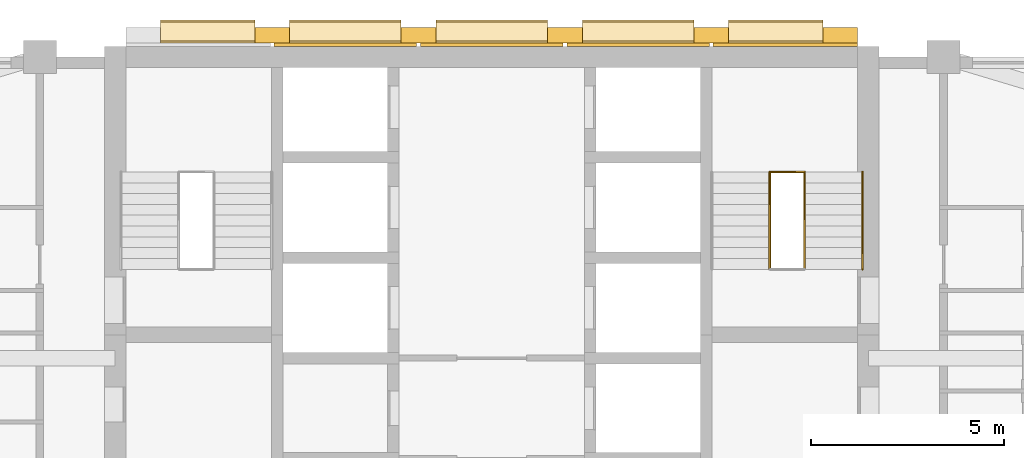
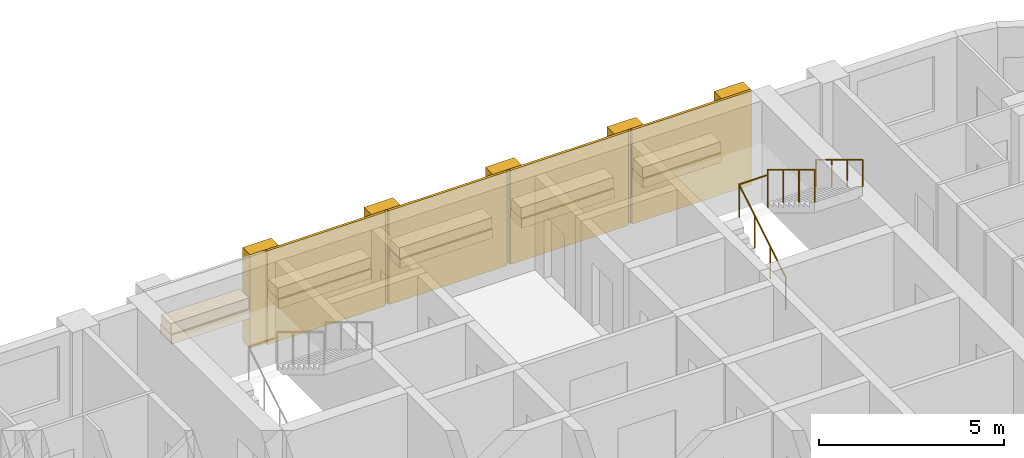
# One storey, part 14 of 14: 19 coverings, 4 railings, 1 element without a shape of its own.
"""IFC4 building model written with IfcOpenShell, lengths in metres."""

import ifcopenshell
import ifcopenshell.guid

model = None  # the IFC model being written
_history = None  # IfcOwnerHistory: only IFC2X3 demands one
_inside = {}  # id of a spatial element -> (the spatial element, [elements in it])
_under = {}  # id of a project, library or spatial element -> (it, [spatial elements below it])
_declared = {}  # id of a project -> (the project, [libraries it declares])
_typed = {}  # id of a type object -> (the type object, [elements of that type])
_made_of = {}  # id of a material, layer set ... -> (it, [elements and type objects made of it])


def new_model(schema):
    """Start an empty IFC model of exactly this schema.

    Asked for "IFC4X3", IfcOpenShell would pick the latest addendum, in which some entities
    have other attributes; the version numbers below select the first issue.
    IFC2X3 requires an IfcOwnerHistory on every rooted entity: one is made here for all.
    """
    global model, _history
    if schema == "IFC4X3":
        model = ifcopenshell.file(schema_version=(4, 3, 0, 0))
    else:
        model = ifcopenshell.file(schema=schema)
    _inside.clear()
    _under.clear()
    _declared.clear()
    _typed.clear()
    _made_of.clear()
    _history = None
    if model.schema == "IFC2X3":
        org = make("IfcOrganization", Name="unknown")
        user = make(
            "IfcPersonAndOrganization",
            ThePerson=make("IfcPerson", FamilyName="unknown"),
            TheOrganization=org,
        )
        app = make(
            "IfcApplication",
            ApplicationDeveloper=org,
            Version="unknown",
            ApplicationFullName="unknown",
            ApplicationIdentifier="unknown",
        )
        _history = make(
            "IfcOwnerHistory",
            OwningUser=user,
            OwningApplication=app,
            ChangeAction="ADDED",
            CreationDate=0,
        )
    return model


def make(cls, **values):
    """One entity of the class cls with the attributes given. An attribute that is None is left unset."""
    return model.create_entity(
        cls, **{name: value for name, value in values.items() if value is not None}
    )


def rooted(cls, **values):
    """An entity with a GlobalId (a new one), such as an element, a storey or a relation."""
    return make(cls, GlobalId=ifcopenshell.guid.new(), OwnerHistory=_history, **values)


def si_unit(unit_type, name, prefix=None):
    """IfcSIUnit, for example si_unit("LENGTHUNIT", "METRE", prefix="MILLI")."""
    return make("IfcSIUnit", UnitType=unit_type, Prefix=prefix, Name=name)


def assignment(units):
    """IfcUnitAssignment: the units of a project."""
    return None if units is None else make("IfcUnitAssignment", Units=units)


def point(xyz):
    """IfcCartesianPoint."""
    return None if xyz is None else make("IfcCartesianPoint", Coordinates=xyz)


def direction(xyz):
    """IfcDirection."""
    return None if xyz is None else make("IfcDirection", DirectionRatios=xyz)


def frame(location, z_axis=None, x_axis=None):
    """IfcAxis2Placement3D, a coordinate frame: its origin and axes. An axis left out is left unset."""
    return make(
        "IfcAxis2Placement3D",
        Location=point(location),
        Axis=direction(z_axis),
        RefDirection=direction(x_axis),
    )


def frame_2d(location, x_axis=None):
    """IfcAxis2Placement2D, a coordinate frame in the plane: its origin and x axis."""
    return make(
        "IfcAxis2Placement2D", Location=point(location), RefDirection=direction(x_axis)
    )


def origin():
    """The frame at (0, 0, 0) with its axes left unset."""
    return frame((0.0, 0.0, 0.0))


def origin_2d():
    """The frame at (0, 0) in the plane with its x axis left unset."""
    return frame_2d((0.0, 0.0))


def place(relative_to, where):
    """IfcLocalPlacement: puts the frame where relative to a parent placement (None: the world)."""
    return make(
        "IfcLocalPlacement", PlacementRelTo=relative_to, RelativePlacement=where
    )


def context(
    kind, dimensions, precision=None, world=None, true_north=None, identifier=None
):
    """IfcGeometricRepresentationContext, for example the 3D "Model" context."""
    return make(
        "IfcGeometricRepresentationContext",
        ContextIdentifier=identifier,
        ContextType=kind,
        CoordinateSpaceDimension=dimensions,
        Precision=precision,
        WorldCoordinateSystem=world,
        TrueNorth=true_north,
    )


def subcontext(parent, identifier, kind, view, scale=None):
    """IfcGeometricRepresentationSubContext, for example "Body" below "Model"."""
    return make(
        "IfcGeometricRepresentationSubContext",
        ContextIdentifier=identifier,
        ContextType=kind,
        ParentContext=parent,
        TargetScale=scale,
        TargetView=view,
    )


def project(units=None, contexts=None):
    """IfcProject with its units and contexts."""
    return rooted(
        "IfcProject",
        Name="project",
        RepresentationContexts=contexts,
        UnitsInContext=assignment(units),
    )


def spatial(cls, under=None, at=None, **own):
    """A site, building, storey or space (cls), placed at a placement, below another one or the project."""
    s = rooted(cls, ObjectPlacement=at, **own)
    if under is not None:
        _under.setdefault(under.id(), (under, []))[1].append(s)
    return s


def profile(cls, at=None, kind="AREA", **sizes):
    """A parametric profile (cls). Its sizes go by their IFC names, for example OverallWidth=200.0."""
    return make(cls, ProfileType=kind, Position=at, **sizes)


def rectangle(**sizes):
    """IfcRectangleProfileDef."""
    return profile("IfcRectangleProfileDef", **sizes)


def circle(**sizes):
    """IfcCircleProfileDef."""
    return profile("IfcCircleProfileDef", **sizes)


def extrude(swept, where, along, depth):
    """IfcExtrudedAreaSolid: the profile swept, set in the frame where, extruded along a direction by depth."""
    return make(
        "IfcExtrudedAreaSolid",
        SweptArea=swept,
        Position=where,
        ExtrudedDirection=direction(along),
        Depth=depth,
    )


def shape(context_of_items, identifier, shape_type, items):
    """IfcShapeRepresentation: the items that make up one representation, for example the "Body"."""
    return make(
        "IfcShapeRepresentation",
        ContextOfItems=context_of_items,
        RepresentationIdentifier=identifier,
        RepresentationType=shape_type,
        Items=items,
    )


def material(Name=None, Category=None):
    """IfcMaterial."""
    return make("IfcMaterial", Name=Name, Category=Category)


def layer(
    of_material, thickness, ventilated=None, Name=None, Category=None, Priority=None
):
    """IfcMaterialLayer: one layer of a wall or slab, of a material (None: an air gap)."""
    return make(
        "IfcMaterialLayer",
        Material=of_material,
        LayerThickness=thickness,
        IsVentilated=ventilated,
        Name=Name,
        Category=Category,
        Priority=Priority,
    )


def layer_set(layers, Name=None):
    """IfcMaterialLayerSet."""
    return make("IfcMaterialLayerSet", MaterialLayers=layers, LayerSetName=Name)


def made_of(thing, what):
    """Note that an element or type object is made of a material, layer set ...; save() writes the relation."""
    if what is not None:
        _made_of.setdefault(what.id(), (what, []))[1].append(thing)
    return thing


def type_object(cls, material=None, **own):
    """A type object (cls), such as IfcWallType, which elements share."""
    return made_of(rooted(cls, **own), material)


def element(
    cls,
    number,
    at=None,
    inside=None,
    cuts=None,
    type_object=None,
    material=None,
    context=None,
    identifier="Body",
    shape_type=None,
    held_by="IfcProductDefinitionShape",
    body=None,
    shapes=None,
    **own,
):
    """One element of the class cls, such as IfcWall. Its Tag is "e" and its number.

    at: its placement. inside: the storey or other place that contains it. cuts: it is an
    opening in that element (IfcRelVoidsElement). A single representation is given by context,
    identifier, shape_type and body (its items); several are given by shapes. held_by: the class
    of the entity that holds the representations. save() writes the other relations.
    """
    e = rooted(cls, Tag="e%d" % number, ObjectPlacement=at, **own)
    if body is not None:
        shapes = [shape(context, identifier, shape_type, body)]
    if shapes is not None:
        e.Representation = make(held_by, Representations=shapes)
    if inside is not None:
        _inside.setdefault(inside.id(), (inside, []))[1].append(e)
    if cuts is not None:
        rooted(
            "IfcRelVoidsElement", RelatingBuildingElement=cuts, RelatedOpeningElement=e
        )
    if type_object is not None:
        _typed.setdefault(type_object.id(), (type_object, []))[1].append(e)
    return made_of(e, material)


def aggregate(whole, parts):
    """IfcRelAggregates: a whole, such as a stair, and the parts it consists of."""
    return rooted("IfcRelAggregates", RelatingObject=whole, RelatedObjects=parts)


def save(model, path):
    """Write the relations noted so far, then the file.

    IfcRelAggregates (storeys below a building ...), IfcRelContainedInSpatialStructure (elements
    in a storey), IfcRelDefinesByType, IfcRelAssociatesMaterial and IfcRelDeclares: one each for
    every whole, place, type object, material and project.
    """
    for whole, parts in _under.values():
        aggregate(whole, parts)
    for where, things in _inside.values():
        rooted(
            "IfcRelContainedInSpatialStructure",
            RelatedElements=things,
            RelatingStructure=where,
        )
    for kind, things in _typed.values():
        rooted("IfcRelDefinesByType", RelatedObjects=things, RelatingType=kind)
    for what, things in _made_of.values():
        rooted("IfcRelAssociatesMaterial", RelatedObjects=things, RelatingMaterial=what)
    for by, libraries in _declared.values():
        rooted("IfcRelDeclares", RelatingContext=by, RelatedDefinitions=libraries)
    model.write(path)


model = new_model("IFC4")

# Units and contexts
model_context = context("Model", 3, precision=1e-05, world=origin(), true_north=direction((0.0, 1.0)))
body_context = subcontext(model_context, "Body", "Model", "MODEL_VIEW")
ifc_project = project(units=[si_unit("LENGTHUNIT", "METRE"), si_unit("AREAUNIT", "SQUARE_METRE"), si_unit("VOLUMEUNIT", "CUBIC_METRE"), si_unit("PLANEANGLEUNIT", "RADIAN"), si_unit("MASSUNIT", "GRAM", prefix="KILO")], contexts=[model_context])

# Site, building, storey
site_placement = place(None, origin())
site = spatial("IfcSite", under=ifc_project, at=site_placement, CompositionType="ELEMENT")
building_placement = place(site_placement, origin())
building = spatial("IfcBuilding", under=site, at=building_placement, Name="Ludao Terraces", CompositionType="ELEMENT")
storey_placement = place(building_placement, frame((0.0, 0.0, 140.699951171875)))
storey = spatial("IfcBuildingStorey", under=building, at=storey_placement, Name="L38", CompositionType="ELEMENT", Elevation=140.699951171875)

# Coverings
ifc_material_1 = material(Name="Granite cladding", Category="masonry")
ifc_layer_1 = layer(ifc_material_1, 0.39990234375)
ifc_layer_set_1 = layer_set([ifc_layer_1], Name="ENV Core pilaster stone 400")
covering_type_1 = type_object("IfcCoveringType", Name="ENV Core pilaster stone 400", PredefinedType="CLADDING", material=ifc_layer_set_1)
for number, where, z_axis, x_axis, name in (
    (1, (79.31494140625, 85.054931640625, 0.0), (0.0, 0.0, 1.0), (1.0, 0.0, 0.0), "CC-L38-PIL2"),
    (2, (83.10498046875, 85.054931640625, 0.0), (0.0, 0.0, 1.0), (1.0, 0.0, 0.0), "CC-L38-PIL3"),
    (3, (86.89501953125, 85.054931640625, 0.0), (0.0, 0.0, 1.0), (1.0, 0.0, 0.0), "CC-L38-PIL4"),
    (4, (90.68505859375, 85.054931640625, 0.0), (0.0, 0.0, 1.0), (1.0, 0.0, 0.0), "CC-L38-PIL5"),
    (5, (94.02490234375, 85.054931640625, 0.0), (0.0, 0.0, 1.0), (1.0, 0.0, 0.0), "CC-L38-PIL6"),
):
    element("IfcCovering", number, at=place(storey_placement, frame(where, z_axis=z_axis, x_axis=x_axis)), inside=storey, type_object=covering_type_1, Name=name, PredefinedType="CLADDING", context=body_context, shape_type="SweptSolid", body=[
        extrude(rectangle(XDim=0.89990234375, YDim=0.39990234375, at=origin_2d()), origin(), (0.0, 0.0, 1.0), 3.10009765625),
    ])
ifc_layer_2 = layer(ifc_material_1, 0.60009765625)
ifc_layer_set_2 = layer_set([ifc_layer_2], Name="ENV Core planting shelf stone 600")
covering_type_2 = type_object("IfcCoveringType", Name="ENV Core planting shelf stone 600", PredefinedType="CLADDING", material=ifc_layer_set_2)
covering_1_placement = place(storey_placement, frame((77.64501953125, 85.155029296875, 1.0), z_axis=(0.0, 0.0, 1.0), x_axis=(1.0, 0.0, 0.0)))
element("IfcCovering", 6, at=covering_1_placement, inside=storey, type_object=covering_type_2, Name="CC-L38-SHELF1", PredefinedType="CLADDING", context=body_context, shape_type="SweptSolid", body=[
    extrude(rectangle(XDim=2.43994140625, YDim=0.60009765625, at=origin_2d()), origin(), (0.0, 0.0, 1.0), 0.300048828125),
])
for number, where, z_axis, x_axis, name in (
    (7, (81.2099609375, 85.155029296875, 1.0), (0.0, 0.0, 1.0), (1.0, 0.0, 0.0), "CC-L38-SHELF2"),
    (8, (85.0, 85.155029296875, 1.0), (0.0, 0.0, 1.0), (1.0, 0.0, 0.0), "CC-L38-SHELF3"),
    (9, (88.7900390625, 85.155029296875, 1.0), (0.0, 0.0, 1.0), (1.0, 0.0, 0.0), "CC-L38-SHELF4"),
):
    element("IfcCovering", number, at=place(storey_placement, frame(where, z_axis=z_axis, x_axis=x_axis)), inside=storey, type_object=covering_type_2, Name=name, PredefinedType="CLADDING", context=body_context, shape_type="SweptSolid", body=[
        extrude(rectangle(XDim=2.889892578125, YDim=0.60009765625, at=origin_2d()), origin(), (0.0, 0.0, 1.0), 0.300048828125),
    ])
covering_2_placement = place(storey_placement, frame((92.35498046875, 85.155029296875, 1.0), z_axis=(0.0, 0.0, 1.0), x_axis=(1.0, 0.0, 0.0)))
element("IfcCovering", 10, at=covering_2_placement, inside=storey, type_object=covering_type_2, Name="CC-L38-SHELF5", PredefinedType="CLADDING", context=body_context, shape_type="SweptSolid", body=[
    extrude(rectangle(XDim=2.43994140625, YDim=0.60009765625, at=origin_2d()), origin(), (0.0, 0.0, 1.0), 0.300048828125),
])
ifc_layer_3 = layer(ifc_material_1, 0.080078125)
ifc_layer_set_3 = layer_set([ifc_layer_3], Name="ENV Core stone cladding panel 80")
covering_type_3 = type_object("IfcCoveringType", Name="ENV Core stone cladding panel 80", PredefinedType="CLADDING", material=ifc_layer_set_3)
for number, where, z_axis, x_axis, name in (
    (11, (81.2099609375, 84.81494140625, 0.0), (0.0, 0.0, 1.0), (1.0, 0.0, 0.0), "CC-L38-CORE2"),
    (12, (85.0, 84.81494140625, 0.0), (0.0, 0.0, 1.0), (1.0, 0.0, 0.0), "CC-L38-CORE3"),
    (13, (88.7900390625, 84.81494140625, 0.0), (0.0, 0.0, 1.0), (1.0, 0.0, 0.0), "CC-L38-CORE4"),
):
    element("IfcCovering", number, at=place(storey_placement, frame(where, z_axis=z_axis, x_axis=x_axis)), inside=storey, type_object=covering_type_3, Name=name, PredefinedType="CLADDING", context=body_context, shape_type="SweptSolid", body=[
        extrude(rectangle(XDim=3.68994140625, YDim=0.080078125, at=origin_2d()), origin(), (0.0, 0.0, 1.0), 3.10009765625),
    ])
covering_3_placement = place(storey_placement, frame((92.60498046875, 84.81494140625, 0.0), z_axis=(0.0, 0.0, 1.0), x_axis=(1.0, 0.0, 0.0)))
element("IfcCovering", 14, at=covering_3_placement, inside=storey, type_object=covering_type_3, Name="CC-L38-CORE5", PredefinedType="CLADDING", context=body_context, shape_type="SweptSolid", body=[
    extrude(rectangle(XDim=3.739990234375, YDim=0.080078125, at=origin_2d()), origin(), (0.0, 0.0, 1.0), 3.10009765625),
])
ifc_material_2 = material(Name="Planting")
ifc_layer_4 = layer(ifc_material_2, 0.5)
ifc_layer_set_4 = layer_set([ifc_layer_4], Name="ENV Shelf planting bed 350")
covering_type_4 = type_object("IfcCoveringType", Name="ENV Shelf planting bed 350", PredefinedType="USERDEFINED", material=ifc_layer_set_4)
covering_4_placement = place(storey_placement, frame((77.64501953125, 85.155029296875, 1.300048828125), z_axis=(0.0, 0.0, 1.0), x_axis=(1.0, 0.0, 0.0)))
element("IfcCovering", 15, at=covering_4_placement, inside=storey, type_object=covering_type_4, Name="Shelf planting bed L38 1", ObjectType="PLANTING", PredefinedType="USERDEFINED", context=body_context, shape_type="SweptSolid", body=[
    extrude(rectangle(XDim=2.43994140625, YDim=0.5, at=origin_2d()), origin(), (0.0, 0.0, 1.0), 0.35009765625),
])
for number, where, z_axis, x_axis, name in (
    (16, (81.2099609375, 85.155029296875, 1.300048828125), (0.0, 0.0, 1.0), (1.0, 0.0, 0.0), "Shelf planting bed L38 2"),
    (17, (85.0, 85.155029296875, 1.300048828125), (0.0, 0.0, 1.0), (1.0, 0.0, 0.0), "Shelf planting bed L38 3"),
    (18, (88.7900390625, 85.155029296875, 1.300048828125), (0.0, 0.0, 1.0), (1.0, 0.0, 0.0), "Shelf planting bed L38 4"),
):
    element("IfcCovering", number, at=place(storey_placement, frame(where, z_axis=z_axis, x_axis=x_axis)), inside=storey, type_object=covering_type_4, Name=name, ObjectType="PLANTING", PredefinedType="USERDEFINED", context=body_context, shape_type="SweptSolid", body=[
        extrude(rectangle(XDim=2.889892578125, YDim=0.5, at=origin_2d()), origin(), (0.0, 0.0, 1.0), 0.35009765625),
    ])
covering_5_placement = place(storey_placement, frame((92.35498046875, 85.155029296875, 1.300048828125), z_axis=(0.0, 0.0, 1.0), x_axis=(1.0, 0.0, 0.0)))
element("IfcCovering", 19, at=covering_5_placement, inside=storey, type_object=covering_type_4, Name="Shelf planting bed L38 5", ObjectType="PLANTING", PredefinedType="USERDEFINED", context=body_context, shape_type="SweptSolid", body=[
    extrude(rectangle(XDim=2.43994140625, YDim=0.5, at=origin_2d()), origin(), (0.0, 0.0, 1.0), 0.35009765625),
])

# Stair, railings
ifc_material_3 = material(Name="Concrete C40", Category="concrete")
stair_type = type_object("IfcStairType", Name="INT Stair", PredefinedType="HALF_TURN_STAIR", material=ifc_material_3)
stair_placement = place(storey_placement, origin())
stair = element("IfcStair", 20, at=stair_placement, inside=storey, type_object=stair_type, Name="EXIT STAIR 2", PredefinedType="HALF_TURN_STAIR")
ifc_material_4 = material(Name="Stainless steel 304", Category="steel")
railing_type_1 = type_object("IfcRailingType", Name="INT Stair guard 1100", PredefinedType="GUARDRAIL", material=ifc_material_4)
railing_1_placement = place(storey_placement, frame((92.199951171875, 79.0, 0.170166015625)))
railing_1 = element("IfcRailing", 21, at=railing_1_placement, type_object=railing_type_1, Name="ST-L38-S2-R1G", PredefinedType="GUARDRAIL", context=body_context, shape_type="SweptSolid", body=[
    extrude(circle(Radius=0.02392578125, at=origin_2d()), frame((0.0, 0.0, 1.076171875), z_axis=(0.0, 0.854821627497, 0.518921945155), x_axis=(-1.0, 0.0, 0.0)), (0.0, 0.0, 1.0), 2.947998046875),
    extrude(circle(Radius=0.02099609375, at=origin_2d()), origin(), (0.0, 0.0, 1.0), 1.052001953125),
    extrude(circle(Radius=0.02099609375, at=origin_2d()), frame((0.0, 0.840087890625, 0.510009765625)), (0.0, 0.0, 1.0), 1.052001953125),
    extrude(circle(Radius=0.02099609375, at=origin_2d()), frame((0.0, 1.679931640625, 1.019775390625)), (0.0, 0.0, 1.0), 1.052001953125),
    extrude(circle(Radius=0.02099609375, at=origin_2d()), frame((0.0, 2.52001953125, 1.52978515625)), (0.0, 0.0, 1.0), 1.052001953125),
])
railing_2_placement = place(storey_placement, frame((93.10009765625, 81.52001953125, 1.8701171875)))
railing_2 = element("IfcRailing", 22, at=railing_2_placement, type_object=railing_type_1, Name="ST-L38-S2-R2G", PredefinedType="GUARDRAIL", context=body_context, shape_type="SweptSolid", body=[
    extrude(circle(Radius=0.02392578125, at=origin_2d()), frame((0.0, 0.0, 1.076171875), z_axis=(0.0, -0.85478489116, 0.518982456201), x_axis=(1.0, 0.0, 0.0)), (0.0, 0.0, 1.0), 2.9482421875),
    extrude(circle(Radius=0.02099609375, at=origin_2d()), origin(), (0.0, 0.0, 1.0), 1.052001953125),
    extrude(circle(Radius=0.02099609375, at=origin_2d()), frame((0.0, -0.840087890625, 0.510009765625)), (0.0, 0.0, 1.0), 1.052001953125),
    extrude(circle(Radius=0.02099609375, at=origin_2d()), frame((0.0, -1.679931640625, 1.02001953125)), (0.0, 0.0, 1.0), 1.052001953125),
    extrude(circle(Radius=0.02099609375, at=origin_2d()), frame((0.0, -2.52001953125, 1.530029296875)), (0.0, 0.0, 1.0), 1.052001953125),
])
railing_3_placement = place(storey_placement, frame((92.199951171875, 81.52001953125, 1.699951171875)))
railing_3 = element("IfcRailing", 23, at=railing_3_placement, type_object=railing_type_1, Name="ST-L38-S2-E1G", PredefinedType="GUARDRAIL", context=body_context, shape_type="SweptSolid", body=[
    extrude(circle(Radius=0.02392578125, at=origin_2d()), frame((0.0, 0.0, 1.076171875), z_axis=(1.0, 0.0, 0.0), x_axis=(0.0, 1.0, 0.0)), (0.0, 0.0, 1.0), 0.900146484375),
    extrude(circle(Radius=0.02099609375, at=origin_2d()), origin(), (0.0, 0.0, 1.0), 1.052001953125),
    extrude(circle(Radius=0.02099609375, at=origin_2d()), frame((0.900146484375, 0.0, 0.0)), (0.0, 0.0, 1.0), 1.052001953125),
])
railing_type_2 = type_object("IfcRailingType", Name="INT Stair handrail 900", PredefinedType="HANDRAIL", material=ifc_material_4)
railing_4_placement = place(storey_placement, frame((94.60009765625, 81.52001953125, 1.8701171875)))
railing_4 = element("IfcRailing", 24, at=railing_4_placement, type_object=railing_type_2, Name="ST-L38-S2-R2H", PredefinedType="HANDRAIL", context=body_context, shape_type="SweptSolid", body=[
    extrude(circle(Radius=0.02392578125, at=origin_2d()), frame((0.0, 0.0, 0.8759765625), z_axis=(0.0, -0.85478489116, 0.518982456201), x_axis=(1.0, 0.0, 0.0)), (0.0, 0.0, 1.0), 2.9482421875),
    extrude(circle(Radius=0.02099609375, at=origin_2d()), origin(), (0.0, 0.0, 1.0), 0.851806640625),
    extrude(circle(Radius=0.02099609375, at=origin_2d()), frame((0.0, -0.840087890625, 0.510009765625)), (0.0, 0.0, 1.0), 0.851806640625),
    extrude(circle(Radius=0.02099609375, at=origin_2d()), frame((0.0, -1.679931640625, 1.02001953125)), (0.0, 0.0, 1.0), 0.851806640625),
    extrude(circle(Radius=0.02099609375, at=origin_2d()), frame((0.0, -2.52001953125, 1.530029296875)), (0.0, 0.0, 1.0), 0.851806640625),
])
aggregate(stair, [railing_1, railing_2, railing_4, railing_3])

save(model, "model.ifc")
